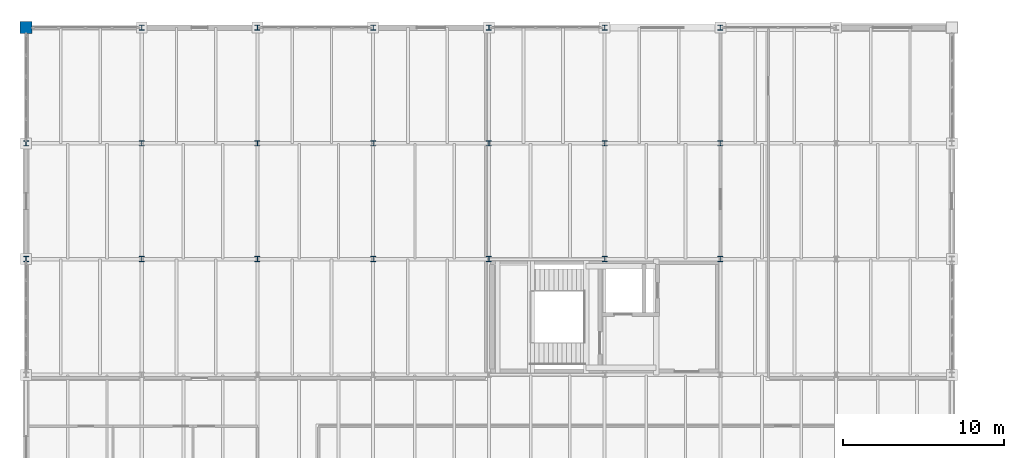
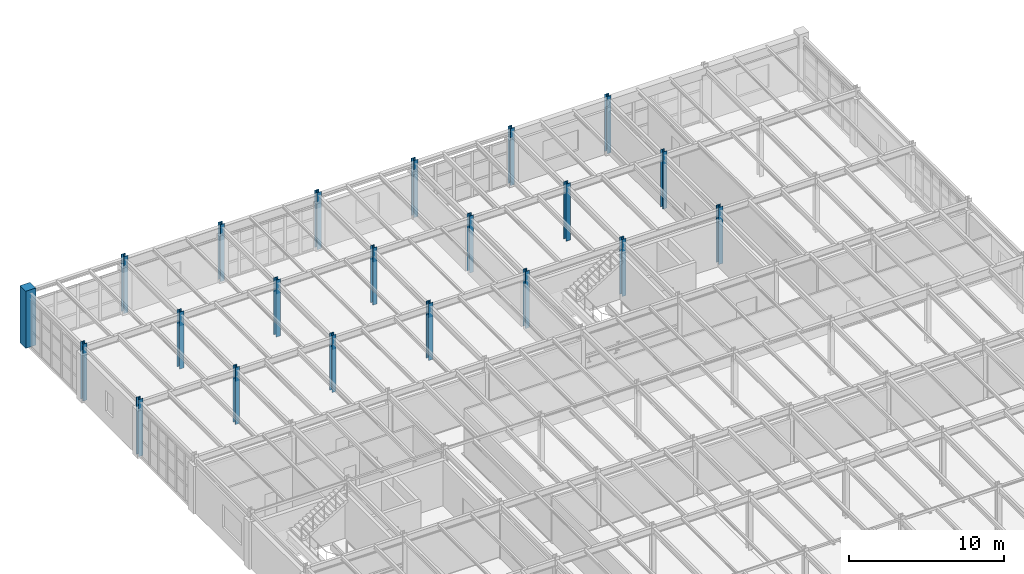
# One storey, part 9 of 137: 21 columns.
"""IFC4 building model written with IfcOpenShell, lengths in metres."""

from ifc_helpers import new_model, si_unit, direction, frame, origin, origin_2d, place, context, subcontext, project, spatial, rectangle, i_section, extrude, material, material_profile, profile_set, type_object, element, save


model = new_model("IFC4")

# Units and contexts
model_context = context("Model", 3, precision=1e-05, world=origin(), true_north=direction((0.0, 1.0)))
body_context = subcontext(model_context, "Body", "Model", "MODEL_VIEW")
ifc_project = project(units=[si_unit("LENGTHUNIT", "METRE"), si_unit("AREAUNIT", "SQUARE_METRE"), si_unit("VOLUMEUNIT", "CUBIC_METRE"), si_unit("PLANEANGLEUNIT", "RADIAN"), si_unit("MASSUNIT", "GRAM", prefix="KILO")], contexts=[model_context])

# Site, building, storey
site_placement = place(None, origin())
site = spatial("IfcSite", under=ifc_project, at=site_placement, CompositionType="ELEMENT")
building_placement = place(site_placement, origin())
building = spatial("IfcBuilding", under=site, at=building_placement, Name="Kemerveld Promenade Tramway Depot", CompositionType="ELEMENT")
storey_placement = place(building_placement, frame((0.0, 0.0, 5.39990234375)))
storey = spatial("IfcBuildingStorey", under=building, at=storey_placement, Name="L01", CompositionType="ELEMENT", Elevation=5.39990234375)

# Columns
ifc_material_1 = material(Name="Concrete C40/50", Category="concrete")
ifc_material_profile_1 = material_profile(ifc_material_1, rectangle(XDim=0.75, YDim=0.75, at=origin_2d()), Name="RC-COL-750x750")
ifc_profile_set_1 = profile_set([ifc_material_profile_1], Name="Concrete C40/50")
column_type_1 = type_object("IfcColumnType", Name="COL-RC2", PredefinedType="COLUMN", material=ifc_profile_set_1)
column_placement = place(storey_placement, frame((0.0, 79.199951171875, 0.0), z_axis=(0.0, 0.0, 1.0), x_axis=(1.0, 0.0, 0.0)))
element("IfcColumn", 1, at=column_placement, inside=storey, type_object=column_type_1, Name="COL-L01-01-M", PredefinedType="COLUMN", context=body_context, shape_type="SweptSolid", body=[
    extrude(rectangle(XDim=0.75, YDim=0.75, at=origin_2d()), origin(), (0.0, 0.0, 1.0), 4.5),
])
ifc_material_2 = material(Name="Steel S355", Category="steel")
ifc_material_profile_2 = material_profile(ifc_material_2, i_section(OverallWidth=0.311279296875, OverallDepth=0.3271484375, WebThickness=0.015869140625, FlangeThickness=0.02490234375, FilletRadius=0.01513671875, at=origin_2d()), Name="305x305x158 UC")
ifc_profile_set_2 = profile_set([ifc_material_profile_2], Name="Steel S355")
column_type_2 = type_object("IfcColumnType", Name="COL-S05", PredefinedType="COLUMN", material=ifc_profile_set_2)
for number, where, z_axis, x_axis, name in (
    (2, (0.0, 64.800048828125, 0.0), (0.0, 0.0, 1.0), (1.0, 0.0, 0.0), "COL-L01-01-K"),
    (3, (0.0, 72.0, 0.0), (0.0, 0.0, 1.0), (1.0, 0.0, 0.0), "COL-L01-01-L"),
    (4, (7.199951171875, 64.800048828125, 0.0), (0.0, 0.0, 1.0), (1.0, 0.0, 0.0), "COL-L01-02-K"),
    (5, (7.199951171875, 72.0, 0.0), (0.0, 0.0, 1.0), (1.0, 0.0, 0.0), "COL-L01-02-L"),
    (6, (7.199951171875, 79.199951171875, 0.0), (0.0, 0.0, 1.0), (1.0, 0.0, 0.0), "COL-L01-02-M"),
    (7, (14.39990234375, 64.800048828125, 0.0), (0.0, 0.0, 1.0), (1.0, 0.0, 0.0), "COL-L01-03-K"),
    (8, (14.39990234375, 72.0, 0.0), (0.0, 0.0, 1.0), (1.0, 0.0, 0.0), "COL-L01-03-L"),
    (9, (14.39990234375, 79.199951171875, 0.0), (0.0, 0.0, 1.0), (1.0, 0.0, 0.0), "COL-L01-03-M"),
    (10, (21.60009765625, 64.800048828125, 0.0), (0.0, 0.0, 1.0), (1.0, 0.0, 0.0), "COL-L01-04-K"),
    (11, (21.60009765625, 72.0, 0.0), (0.0, 0.0, 1.0), (1.0, 0.0, 0.0), "COL-L01-04-L"),
    (12, (21.60009765625, 79.199951171875, 0.0), (0.0, 0.0, 1.0), (1.0, 0.0, 0.0), "COL-L01-04-M"),
    (13, (28.800048828125, 64.800048828125, 0.0), (0.0, 0.0, 1.0), (1.0, 0.0, 0.0), "COL-L01-05-K"),
    (14, (28.800048828125, 72.0, 0.0), (0.0, 0.0, 1.0), (1.0, 0.0, 0.0), "COL-L01-05-L"),
    (15, (28.800048828125, 79.199951171875, 0.0), (0.0, 0.0, 1.0), (1.0, 0.0, 0.0), "COL-L01-05-M"),
    (16, (36.0, 64.800048828125, 0.0), (0.0, 0.0, 1.0), (1.0, 0.0, 0.0), "COL-L01-06-K"),
    (17, (36.0, 72.0, 0.0), (0.0, 0.0, 1.0), (1.0, 0.0, 0.0), "COL-L01-06-L"),
    (18, (36.0, 79.199951171875, 0.0), (0.0, 0.0, 1.0), (1.0, 0.0, 0.0), "COL-L01-06-M"),
    (19, (43.199951171875, 64.800048828125, 0.0), (0.0, 0.0, 1.0), (1.0, 0.0, 0.0), "COL-L01-07-K"),
    (20, (43.199951171875, 72.0, 0.0), (0.0, 0.0, 1.0), (1.0, 0.0, 0.0), "COL-L01-07-L"),
    (21, (43.199951171875, 79.199951171875, 0.0), (0.0, 0.0, 1.0), (1.0, 0.0, 0.0), "COL-L01-07-M"),
):
    element("IfcColumn", number, at=place(storey_placement, frame(where, z_axis=z_axis, x_axis=x_axis)), inside=storey, type_object=column_type_2, Name=name, PredefinedType="COLUMN", context=body_context, shape_type="SweptSolid", body=[
        extrude(i_section(OverallWidth=0.311279296875, OverallDepth=0.3271484375, WebThickness=0.015869140625, FlangeThickness=0.02490234375, FilletRadius=0.01513671875, at=origin_2d()), origin(), (0.0, 0.0, 1.0), 4.5),
    ])

save(model, "model.ifc")
